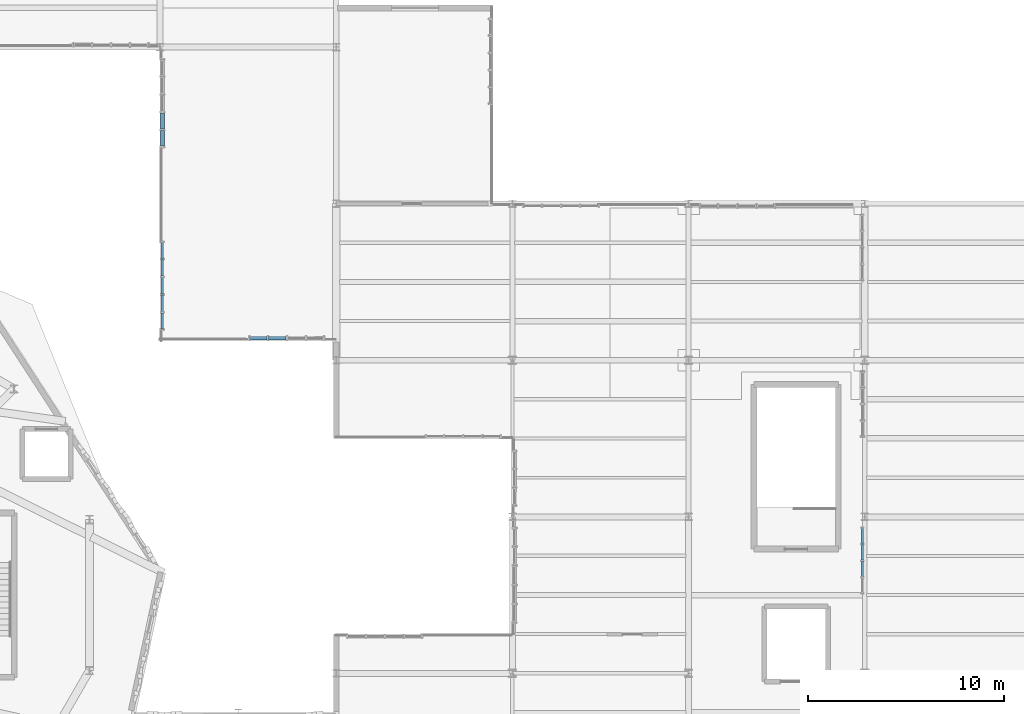
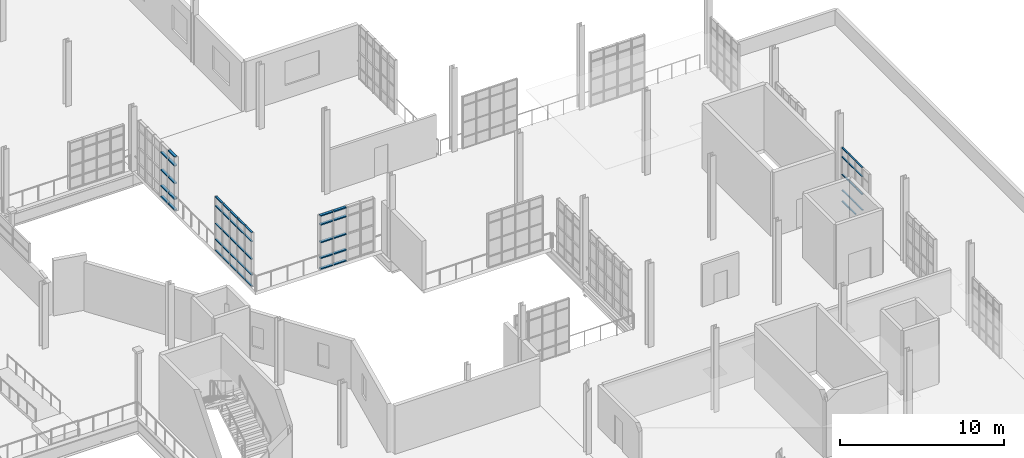
# One storey, part 79 of 118: 58 members, 4 elements without a shape of their own.
"""IFC4 building model written with IfcOpenShell, lengths in metres."""

from ifc_helpers import new_model, si_unit, direction, frame, origin, origin_2d, place, context, subcontext, project, spatial, hollow_rectangle, extrude, material, layer, layer_set, material_profile, profile_set, type_object, element, aggregate, save


model = new_model("IFC4")

# Units and contexts
model_context = context("Model", 3, precision=1e-05, world=origin(), true_north=direction((0.0, 1.0)))
body_context = subcontext(model_context, "Body", "Model", "MODEL_VIEW")
ifc_project = project(units=[si_unit("LENGTHUNIT", "METRE"), si_unit("AREAUNIT", "SQUARE_METRE"), si_unit("VOLUMEUNIT", "CUBIC_METRE"), si_unit("PLANEANGLEUNIT", "RADIAN"), si_unit("MASSUNIT", "GRAM", prefix="KILO"), si_unit("THERMODYNAMICTEMPERATUREUNIT", "KELVIN"), si_unit("POWERUNIT", "WATT")], contexts=[model_context])

# Site, building, storey
site_placement = place(None, origin())
site = spatial("IfcSite", under=ifc_project, at=site_placement, CompositionType="ELEMENT")
building_placement = place(site_placement, origin())
building = spatial("IfcBuilding", under=site, at=building_placement, Name="Zelmaris Science Centre", CompositionType="ELEMENT")
storey_placement = place(building_placement, frame((0.0, 0.0, 15.60009765625)))
storey = spatial("IfcBuildingStorey", under=building, at=storey_placement, Name="L03", CompositionType="ELEMENT", Elevation=15.60009765625)

# Curtain wall, members
ifc_material = material(Name="Anodised architectural aluminium 6063-T6", Category="aluminium")
ifc_layer_1 = layer(ifc_material, 0.219970703125, Name="Anodised architectural aluminium 6063-T6")
ifc_layer_set_1 = layer_set([ifc_layer_1], Name="Anodised architectural aluminium 6063-T6")
curtain_wall_type_1 = type_object("IfcCurtainWallType", Name="Curtain Wall CW-04", PredefinedType="USERDEFINED", material=ifc_layer_set_1)
curtain_wall_1_placement = place(storey_placement, origin())
curtain_wall_1 = element("IfcCurtainWall", 1, at=curtain_wall_1_placement, inside=storey, type_object=curtain_wall_type_1, Name="L03 Unitised curtain wall 300", ObjectType="GLAZED CURTAIN WALL", PredefinedType="USERDEFINED")
ifc_material_profile_1 = material_profile(ifc_material, hollow_rectangle(XDim=0.06005859375, YDim=0.110107421875, WallThickness=0.0029296875, at=origin_2d()), Name="ALU-TRN-60X110")
ifc_profile_set_1 = profile_set([ifc_material_profile_1], Name="Anodised architectural aluminium 6063-T6")
member_type_1 = type_object("IfcMemberType", Name="ALU-TRN-60X110", PredefinedType="USERDEFINED", material=ifc_profile_set_1)
member_1_placement = place(storey_placement, frame((134.8798828125, 39.407958984375, 0.010986328125), z_axis=(0.0, -1.0, 0.0), x_axis=(0.0, 0.0, 1.0)))
member_1 = element("IfcMember", 2, at=member_1_placement, type_object=member_type_1, Name="CW-04 transom 1.1", ObjectType="TRANSOM", PredefinedType="USERDEFINED", context=body_context, shape_type="SweptSolid", body=[
    extrude(hollow_rectangle(XDim=0.06005859375, YDim=0.110107421875, WallThickness=0.0029296875, at=origin_2d()), origin(), (0.0, 0.0, 1.0), 0.77197265625),
])
member_2_placement = place(storey_placement, frame((134.8798828125, 39.407958984375, 0.8349609375), z_axis=(0.0, -1.0, 0.0), x_axis=(0.0, 0.0, 1.0)))
member_2 = element("IfcMember", 3, at=member_2_placement, type_object=member_type_1, Name="CW-04 transom 1.2", ObjectType="TRANSOM", PredefinedType="USERDEFINED", context=body_context, shape_type="SweptSolid", body=[
    extrude(hollow_rectangle(XDim=0.06005859375, YDim=0.110107421875, WallThickness=0.0029296875, at=origin_2d()), origin(), (0.0, 0.0, 1.0), 0.77197265625),
])
member_3_placement = place(storey_placement, frame((134.8798828125, 39.407958984375, 2.00732421875), z_axis=(0.0, -1.0, 0.0), x_axis=(0.0, 0.0, 1.0)))
member_3 = element("IfcMember", 4, at=member_3_placement, type_object=member_type_1, Name="CW-04 transom 1.3", ObjectType="TRANSOM", PredefinedType="USERDEFINED", context=body_context, shape_type="SweptSolid", body=[
    extrude(hollow_rectangle(XDim=0.06005859375, YDim=0.110107421875, WallThickness=0.0029296875, at=origin_2d()), origin(), (0.0, 0.0, 1.0), 0.77197265625),
])
member_4_placement = place(storey_placement, frame((134.8798828125, 39.407958984375, 3.329833984375), z_axis=(0.0, -1.0, 0.0), x_axis=(0.0, 0.0, 1.0)))
member_4 = element("IfcMember", 5, at=member_4_placement, type_object=member_type_1, Name="CW-04 transom 1.4", ObjectType="TRANSOM", PredefinedType="USERDEFINED", context=body_context, shape_type="SweptSolid", body=[
    extrude(hollow_rectangle(XDim=0.06005859375, YDim=0.110107421875, WallThickness=0.0029296875, at=origin_2d()), origin(), (0.0, 0.0, 1.0), 0.77197265625),
])
member_5_placement = place(storey_placement, frame((134.8798828125, 39.407958984375, 4.00390625), z_axis=(0.0, -1.0, 0.0), x_axis=(0.0, 0.0, 1.0)))
member_5 = element("IfcMember", 6, at=member_5_placement, type_object=member_type_1, Name="CW-04 transom 1.5", ObjectType="TRANSOM", PredefinedType="USERDEFINED", context=body_context, shape_type="SweptSolid", body=[
    extrude(hollow_rectangle(XDim=0.06005859375, YDim=0.110107421875, WallThickness=0.0029296875, at=origin_2d()), origin(), (0.0, 0.0, 1.0), 0.77197265625),
])
member_6_placement = place(storey_placement, frame((134.8798828125, 38.583984375, 0.010986328125), z_axis=(0.0, -1.0, 0.0), x_axis=(0.0, 0.0, 1.0)))
member_6 = element("IfcMember", 7, at=member_6_placement, type_object=member_type_1, Name="CW-04 transom 2.1", ObjectType="TRANSOM", PredefinedType="USERDEFINED", context=body_context, shape_type="SweptSolid", body=[
    extrude(hollow_rectangle(XDim=0.06005859375, YDim=0.110107421875, WallThickness=0.0029296875, at=origin_2d()), origin(), (0.0, 0.0, 1.0), 0.798095703125),
])
member_7_placement = place(storey_placement, frame((134.8798828125, 38.583984375, 0.8349609375), z_axis=(0.0, -1.0, 0.0), x_axis=(0.0, 0.0, 1.0)))
member_7 = element("IfcMember", 8, at=member_7_placement, type_object=member_type_1, Name="CW-04 transom 2.2", ObjectType="TRANSOM", PredefinedType="USERDEFINED", context=body_context, shape_type="SweptSolid", body=[
    extrude(hollow_rectangle(XDim=0.06005859375, YDim=0.110107421875, WallThickness=0.0029296875, at=origin_2d()), origin(), (0.0, 0.0, 1.0), 0.798095703125),
])
member_8_placement = place(storey_placement, frame((134.8798828125, 38.583984375, 2.00732421875), z_axis=(0.0, -1.0, 0.0), x_axis=(0.0, 0.0, 1.0)))
member_8 = element("IfcMember", 9, at=member_8_placement, type_object=member_type_1, Name="CW-04 transom 2.3", ObjectType="TRANSOM", PredefinedType="USERDEFINED", context=body_context, shape_type="SweptSolid", body=[
    extrude(hollow_rectangle(XDim=0.06005859375, YDim=0.110107421875, WallThickness=0.0029296875, at=origin_2d()), origin(), (0.0, 0.0, 1.0), 0.798095703125),
])
member_9_placement = place(storey_placement, frame((134.8798828125, 38.583984375, 3.329833984375), z_axis=(0.0, -1.0, 0.0), x_axis=(0.0, 0.0, 1.0)))
member_9 = element("IfcMember", 10, at=member_9_placement, type_object=member_type_1, Name="CW-04 transom 2.4", ObjectType="TRANSOM", PredefinedType="USERDEFINED", context=body_context, shape_type="SweptSolid", body=[
    extrude(hollow_rectangle(XDim=0.06005859375, YDim=0.110107421875, WallThickness=0.0029296875, at=origin_2d()), origin(), (0.0, 0.0, 1.0), 0.798095703125),
])
member_10_placement = place(storey_placement, frame((134.8798828125, 38.583984375, 4.00390625), z_axis=(0.0, -1.0, 0.0), x_axis=(0.0, 0.0, 1.0)))
member_10 = element("IfcMember", 11, at=member_10_placement, type_object=member_type_1, Name="CW-04 transom 2.5", ObjectType="TRANSOM", PredefinedType="USERDEFINED", context=body_context, shape_type="SweptSolid", body=[
    extrude(hollow_rectangle(XDim=0.06005859375, YDim=0.110107421875, WallThickness=0.0029296875, at=origin_2d()), origin(), (0.0, 0.0, 1.0), 0.798095703125),
])
member_11_placement = place(storey_placement, frame((134.8798828125, 37.73388671875, 0.8349609375), z_axis=(0.0, -1.0, 0.0), x_axis=(0.0, 0.0, 1.0)))
member_11 = element("IfcMember", 12, at=member_11_placement, type_object=member_type_1, Name="CW-04 transom 3.2", ObjectType="TRANSOM", PredefinedType="USERDEFINED", context=body_context, shape_type="SweptSolid", body=[
    extrude(hollow_rectangle(XDim=0.06005859375, YDim=0.110107421875, WallThickness=0.0029296875, at=origin_2d()), origin(), (0.0, 0.0, 1.0), 0.7978515625),
])
member_12_placement = place(storey_placement, frame((134.8798828125, 37.73388671875, 2.00732421875), z_axis=(0.0, -1.0, 0.0), x_axis=(0.0, 0.0, 1.0)))
member_12 = element("IfcMember", 13, at=member_12_placement, type_object=member_type_1, Name="CW-04 transom 3.3", ObjectType="TRANSOM", PredefinedType="USERDEFINED", context=body_context, shape_type="SweptSolid", body=[
    extrude(hollow_rectangle(XDim=0.06005859375, YDim=0.110107421875, WallThickness=0.0029296875, at=origin_2d()), origin(), (0.0, 0.0, 1.0), 0.7978515625),
])
member_13_placement = place(storey_placement, frame((134.8798828125, 37.73388671875, 3.329833984375), z_axis=(0.0, -1.0, 0.0), x_axis=(0.0, 0.0, 1.0)))
member_13 = element("IfcMember", 14, at=member_13_placement, type_object=member_type_1, Name="CW-04 transom 3.4", ObjectType="TRANSOM", PredefinedType="USERDEFINED", context=body_context, shape_type="SweptSolid", body=[
    extrude(hollow_rectangle(XDim=0.06005859375, YDim=0.110107421875, WallThickness=0.0029296875, at=origin_2d()), origin(), (0.0, 0.0, 1.0), 0.7978515625),
])
member_14_placement = place(storey_placement, frame((134.8798828125, 37.73388671875, 4.00390625), z_axis=(0.0, -1.0, 0.0), x_axis=(0.0, 0.0, 1.0)))
member_14 = element("IfcMember", 15, at=member_14_placement, type_object=member_type_1, Name="CW-04 transom 3.5", ObjectType="TRANSOM", PredefinedType="USERDEFINED", context=body_context, shape_type="SweptSolid", body=[
    extrude(hollow_rectangle(XDim=0.06005859375, YDim=0.110107421875, WallThickness=0.0029296875, at=origin_2d()), origin(), (0.0, 0.0, 1.0), 0.7978515625),
])
aggregate(curtain_wall_1, [member_1, member_2, member_3, member_4, member_5, member_6, member_7, member_8, member_9, member_10, member_11, member_12, member_13, member_14])

ifc_layer_2 = layer(ifc_material, 0.2099609375, Name="Anodised architectural aluminium 6063-T6")
ifc_layer_set_2 = layer_set([ifc_layer_2], Name="Anodised architectural aluminium 6063-T6")
curtain_wall_type_2 = type_object("IfcCurtainWallType", Name="Curtain Wall CW-03", PredefinedType="USERDEFINED", material=ifc_layer_set_2)
curtain_wall_2_placement = place(storey_placement, origin())
curtain_wall_2 = element("IfcCurtainWall", 16, at=curtain_wall_2_placement, inside=storey, type_object=curtain_wall_type_2, Name="L03 Unitised curtain wall 331", ObjectType="GLAZED CURTAIN WALL", PredefinedType="USERDEFINED")
ifc_material_profile_2 = material_profile(ifc_material, hollow_rectangle(XDim=0.06494140625, YDim=0.1298828125, WallThickness=0.00341796875, at=origin_2d()), Name="ALU-TRN-65X130")
ifc_profile_set_2 = profile_set([ifc_material_profile_2], Name="Anodised architectural aluminium 6063-T6")
member_type_2 = type_object("IfcMemberType", Name="ALU-TRN-65X130", PredefinedType="USERDEFINED", material=ifc_profile_set_2)
member_15_placement = place(storey_placement, frame((99.1201171875, 49.59716796875, 0.013427734375), z_axis=(0.0, 1.0, 0.0), x_axis=(0.0, 0.0, 1.0)))
member_15 = element("IfcMember", 17, at=member_15_placement, type_object=member_type_2, Name="CW-03 transom 1.1", ObjectType="TRANSOM", PredefinedType="USERDEFINED", context=body_context, shape_type="SweptSolid", body=[
    extrude(hollow_rectangle(XDim=0.06494140625, YDim=0.1298828125, WallThickness=0.00341796875, at=origin_2d()), origin(), (0.0, 0.0, 1.0), 0.822509765625),
])
member_16_placement = place(storey_placement, frame((99.1201171875, 49.59716796875, 0.8349609375), z_axis=(0.0, 1.0, 0.0), x_axis=(0.0, 0.0, 1.0)))
member_16 = element("IfcMember", 18, at=member_16_placement, type_object=member_type_2, Name="CW-03 transom 1.2", ObjectType="TRANSOM", PredefinedType="USERDEFINED", context=body_context, shape_type="SweptSolid", body=[
    extrude(hollow_rectangle(XDim=0.06494140625, YDim=0.1298828125, WallThickness=0.00341796875, at=origin_2d()), origin(), (0.0, 0.0, 1.0), 0.822509765625),
])
member_17_placement = place(storey_placement, frame((99.1201171875, 49.59716796875, 2.00732421875), z_axis=(0.0, 1.0, 0.0), x_axis=(0.0, 0.0, 1.0)))
member_17 = element("IfcMember", 19, at=member_17_placement, type_object=member_type_2, Name="CW-03 transom 1.3", ObjectType="TRANSOM", PredefinedType="USERDEFINED", context=body_context, shape_type="SweptSolid", body=[
    extrude(hollow_rectangle(XDim=0.06494140625, YDim=0.1298828125, WallThickness=0.00341796875, at=origin_2d()), origin(), (0.0, 0.0, 1.0), 0.822509765625),
])
member_18_placement = place(storey_placement, frame((99.1201171875, 49.59716796875, 3.329833984375), z_axis=(0.0, 1.0, 0.0), x_axis=(0.0, 0.0, 1.0)))
member_18 = element("IfcMember", 20, at=member_18_placement, type_object=member_type_2, Name="CW-03 transom 1.4", ObjectType="TRANSOM", PredefinedType="USERDEFINED", context=body_context, shape_type="SweptSolid", body=[
    extrude(hollow_rectangle(XDim=0.06494140625, YDim=0.1298828125, WallThickness=0.00341796875, at=origin_2d()), origin(), (0.0, 0.0, 1.0), 0.822509765625),
])
member_19_placement = place(storey_placement, frame((99.1201171875, 49.59716796875, 4.00146484375), z_axis=(0.0, 1.0, 0.0), x_axis=(0.0, 0.0, 1.0)))
member_19 = element("IfcMember", 21, at=member_19_placement, type_object=member_type_2, Name="CW-03 transom 1.5", ObjectType="TRANSOM", PredefinedType="USERDEFINED", context=body_context, shape_type="SweptSolid", body=[
    extrude(hollow_rectangle(XDim=0.06494140625, YDim=0.1298828125, WallThickness=0.00341796875, at=origin_2d()), origin(), (0.0, 0.0, 1.0), 0.822509765625),
])
member_20_placement = place(storey_placement, frame((99.1201171875, 50.4765625, 0.013427734375), z_axis=(0.0, 1.0, 0.0), x_axis=(0.0, 0.0, 1.0)))
member_20 = element("IfcMember", 22, at=member_20_placement, type_object=member_type_2, Name="CW-03 transom 2.1", ObjectType="TRANSOM", PredefinedType="USERDEFINED", context=body_context, shape_type="SweptSolid", body=[
    extrude(hollow_rectangle(XDim=0.06494140625, YDim=0.1298828125, WallThickness=0.00341796875, at=origin_2d()), origin(), (0.0, 0.0, 1.0), 0.85107421875),
])
member_21_placement = place(storey_placement, frame((99.1201171875, 50.4765625, 0.8349609375), z_axis=(0.0, 1.0, 0.0), x_axis=(0.0, 0.0, 1.0)))
member_21 = element("IfcMember", 23, at=member_21_placement, type_object=member_type_2, Name="CW-03 transom 2.2", ObjectType="TRANSOM", PredefinedType="USERDEFINED", context=body_context, shape_type="SweptSolid", body=[
    extrude(hollow_rectangle(XDim=0.06494140625, YDim=0.1298828125, WallThickness=0.00341796875, at=origin_2d()), origin(), (0.0, 0.0, 1.0), 0.85107421875),
])
member_22_placement = place(storey_placement, frame((99.1201171875, 50.4765625, 2.00732421875), z_axis=(0.0, 1.0, 0.0), x_axis=(0.0, 0.0, 1.0)))
member_22 = element("IfcMember", 24, at=member_22_placement, type_object=member_type_2, Name="CW-03 transom 2.3", ObjectType="TRANSOM", PredefinedType="USERDEFINED", context=body_context, shape_type="SweptSolid", body=[
    extrude(hollow_rectangle(XDim=0.06494140625, YDim=0.1298828125, WallThickness=0.00341796875, at=origin_2d()), origin(), (0.0, 0.0, 1.0), 0.85107421875),
])
member_23_placement = place(storey_placement, frame((99.1201171875, 50.4765625, 3.329833984375), z_axis=(0.0, 1.0, 0.0), x_axis=(0.0, 0.0, 1.0)))
member_23 = element("IfcMember", 25, at=member_23_placement, type_object=member_type_2, Name="CW-03 transom 2.4", ObjectType="TRANSOM", PredefinedType="USERDEFINED", context=body_context, shape_type="SweptSolid", body=[
    extrude(hollow_rectangle(XDim=0.06494140625, YDim=0.1298828125, WallThickness=0.00341796875, at=origin_2d()), origin(), (0.0, 0.0, 1.0), 0.85107421875),
])
member_24_placement = place(storey_placement, frame((99.1201171875, 50.4765625, 4.00146484375), z_axis=(0.0, 1.0, 0.0), x_axis=(0.0, 0.0, 1.0)))
member_24 = element("IfcMember", 26, at=member_24_placement, type_object=member_type_2, Name="CW-03 transom 2.5", ObjectType="TRANSOM", PredefinedType="USERDEFINED", context=body_context, shape_type="SweptSolid", body=[
    extrude(hollow_rectangle(XDim=0.06494140625, YDim=0.1298828125, WallThickness=0.00341796875, at=origin_2d()), origin(), (0.0, 0.0, 1.0), 0.85107421875),
])
member_25_placement = place(storey_placement, frame((99.1201171875, 51.384521484375, 0.013427734375), z_axis=(0.0, 1.0, 0.0), x_axis=(0.0, 0.0, 1.0)))
member_25 = element("IfcMember", 27, at=member_25_placement, type_object=member_type_2, Name="CW-03 transom 3.1", ObjectType="TRANSOM", PredefinedType="USERDEFINED", context=body_context, shape_type="SweptSolid", body=[
    extrude(hollow_rectangle(XDim=0.06494140625, YDim=0.1298828125, WallThickness=0.00341796875, at=origin_2d()), origin(), (0.0, 0.0, 1.0), 0.85107421875),
])
member_26_placement = place(storey_placement, frame((99.1201171875, 51.384521484375, 0.8349609375), z_axis=(0.0, 1.0, 0.0), x_axis=(0.0, 0.0, 1.0)))
member_26 = element("IfcMember", 28, at=member_26_placement, type_object=member_type_2, Name="CW-03 transom 3.2", ObjectType="TRANSOM", PredefinedType="USERDEFINED", context=body_context, shape_type="SweptSolid", body=[
    extrude(hollow_rectangle(XDim=0.06494140625, YDim=0.1298828125, WallThickness=0.00341796875, at=origin_2d()), origin(), (0.0, 0.0, 1.0), 0.85107421875),
])
member_27_placement = place(storey_placement, frame((99.1201171875, 51.384521484375, 2.00732421875), z_axis=(0.0, 1.0, 0.0), x_axis=(0.0, 0.0, 1.0)))
member_27 = element("IfcMember", 29, at=member_27_placement, type_object=member_type_2, Name="CW-03 transom 3.3", ObjectType="TRANSOM", PredefinedType="USERDEFINED", context=body_context, shape_type="SweptSolid", body=[
    extrude(hollow_rectangle(XDim=0.06494140625, YDim=0.1298828125, WallThickness=0.00341796875, at=origin_2d()), origin(), (0.0, 0.0, 1.0), 0.85107421875),
])
member_28_placement = place(storey_placement, frame((99.1201171875, 51.384521484375, 3.329833984375), z_axis=(0.0, 1.0, 0.0), x_axis=(0.0, 0.0, 1.0)))
member_28 = element("IfcMember", 30, at=member_28_placement, type_object=member_type_2, Name="CW-03 transom 3.4", ObjectType="TRANSOM", PredefinedType="USERDEFINED", context=body_context, shape_type="SweptSolid", body=[
    extrude(hollow_rectangle(XDim=0.06494140625, YDim=0.1298828125, WallThickness=0.00341796875, at=origin_2d()), origin(), (0.0, 0.0, 1.0), 0.85107421875),
])
member_29_placement = place(storey_placement, frame((99.1201171875, 51.384521484375, 4.00146484375), z_axis=(0.0, 1.0, 0.0), x_axis=(0.0, 0.0, 1.0)))
member_29 = element("IfcMember", 31, at=member_29_placement, type_object=member_type_2, Name="CW-03 transom 3.5", ObjectType="TRANSOM", PredefinedType="USERDEFINED", context=body_context, shape_type="SweptSolid", body=[
    extrude(hollow_rectangle(XDim=0.06494140625, YDim=0.1298828125, WallThickness=0.00341796875, at=origin_2d()), origin(), (0.0, 0.0, 1.0), 0.85107421875),
])
member_30_placement = place(storey_placement, frame((99.1201171875, 52.29248046875, 0.013427734375), z_axis=(0.0, 1.0, 0.0), x_axis=(0.0, 0.0, 1.0)))
member_30 = element("IfcMember", 32, at=member_30_placement, type_object=member_type_2, Name="CW-03 transom 4.1", ObjectType="TRANSOM", PredefinedType="USERDEFINED", context=body_context, shape_type="SweptSolid", body=[
    extrude(hollow_rectangle(XDim=0.06494140625, YDim=0.1298828125, WallThickness=0.00341796875, at=origin_2d()), origin(), (0.0, 0.0, 1.0), 0.85107421875),
])
member_31_placement = place(storey_placement, frame((99.1201171875, 52.29248046875, 0.8349609375), z_axis=(0.0, 1.0, 0.0), x_axis=(0.0, 0.0, 1.0)))
member_31 = element("IfcMember", 33, at=member_31_placement, type_object=member_type_2, Name="CW-03 transom 4.2", ObjectType="TRANSOM", PredefinedType="USERDEFINED", context=body_context, shape_type="SweptSolid", body=[
    extrude(hollow_rectangle(XDim=0.06494140625, YDim=0.1298828125, WallThickness=0.00341796875, at=origin_2d()), origin(), (0.0, 0.0, 1.0), 0.85107421875),
])
member_32_placement = place(storey_placement, frame((99.1201171875, 52.29248046875, 2.00732421875), z_axis=(0.0, 1.0, 0.0), x_axis=(0.0, 0.0, 1.0)))
member_32 = element("IfcMember", 34, at=member_32_placement, type_object=member_type_2, Name="CW-03 transom 4.3", ObjectType="TRANSOM", PredefinedType="USERDEFINED", context=body_context, shape_type="SweptSolid", body=[
    extrude(hollow_rectangle(XDim=0.06494140625, YDim=0.1298828125, WallThickness=0.00341796875, at=origin_2d()), origin(), (0.0, 0.0, 1.0), 0.85107421875),
])
member_33_placement = place(storey_placement, frame((99.1201171875, 52.29248046875, 3.329833984375), z_axis=(0.0, 1.0, 0.0), x_axis=(0.0, 0.0, 1.0)))
member_33 = element("IfcMember", 35, at=member_33_placement, type_object=member_type_2, Name="CW-03 transom 4.4", ObjectType="TRANSOM", PredefinedType="USERDEFINED", context=body_context, shape_type="SweptSolid", body=[
    extrude(hollow_rectangle(XDim=0.06494140625, YDim=0.1298828125, WallThickness=0.00341796875, at=origin_2d()), origin(), (0.0, 0.0, 1.0), 0.85107421875),
])
member_34_placement = place(storey_placement, frame((99.1201171875, 52.29248046875, 4.00146484375), z_axis=(0.0, 1.0, 0.0), x_axis=(0.0, 0.0, 1.0)))
member_34 = element("IfcMember", 36, at=member_34_placement, type_object=member_type_2, Name="CW-03 transom 4.5", ObjectType="TRANSOM", PredefinedType="USERDEFINED", context=body_context, shape_type="SweptSolid", body=[
    extrude(hollow_rectangle(XDim=0.06494140625, YDim=0.1298828125, WallThickness=0.00341796875, at=origin_2d()), origin(), (0.0, 0.0, 1.0), 0.85107421875),
])
member_35_placement = place(storey_placement, frame((99.1201171875, 53.200439453125, 0.013427734375), z_axis=(0.0, 1.0, 0.0), x_axis=(0.0, 0.0, 1.0)))
member_35 = element("IfcMember", 37, at=member_35_placement, type_object=member_type_2, Name="CW-03 transom 5.1", ObjectType="TRANSOM", PredefinedType="USERDEFINED", context=body_context, shape_type="SweptSolid", body=[
    extrude(hollow_rectangle(XDim=0.06494140625, YDim=0.1298828125, WallThickness=0.00341796875, at=origin_2d()), origin(), (0.0, 0.0, 1.0), 0.822509765625),
])
member_36_placement = place(storey_placement, frame((99.1201171875, 53.200439453125, 0.8349609375), z_axis=(0.0, 1.0, 0.0), x_axis=(0.0, 0.0, 1.0)))
member_36 = element("IfcMember", 38, at=member_36_placement, type_object=member_type_2, Name="CW-03 transom 5.2", ObjectType="TRANSOM", PredefinedType="USERDEFINED", context=body_context, shape_type="SweptSolid", body=[
    extrude(hollow_rectangle(XDim=0.06494140625, YDim=0.1298828125, WallThickness=0.00341796875, at=origin_2d()), origin(), (0.0, 0.0, 1.0), 0.822509765625),
])
member_37_placement = place(storey_placement, frame((99.1201171875, 53.200439453125, 2.00732421875), z_axis=(0.0, 1.0, 0.0), x_axis=(0.0, 0.0, 1.0)))
member_37 = element("IfcMember", 39, at=member_37_placement, type_object=member_type_2, Name="CW-03 transom 5.3", ObjectType="TRANSOM", PredefinedType="USERDEFINED", context=body_context, shape_type="SweptSolid", body=[
    extrude(hollow_rectangle(XDim=0.06494140625, YDim=0.1298828125, WallThickness=0.00341796875, at=origin_2d()), origin(), (0.0, 0.0, 1.0), 0.822509765625),
])
member_38_placement = place(storey_placement, frame((99.1201171875, 53.200439453125, 3.329833984375), z_axis=(0.0, 1.0, 0.0), x_axis=(0.0, 0.0, 1.0)))
member_38 = element("IfcMember", 40, at=member_38_placement, type_object=member_type_2, Name="CW-03 transom 5.4", ObjectType="TRANSOM", PredefinedType="USERDEFINED", context=body_context, shape_type="SweptSolid", body=[
    extrude(hollow_rectangle(XDim=0.06494140625, YDim=0.1298828125, WallThickness=0.00341796875, at=origin_2d()), origin(), (0.0, 0.0, 1.0), 0.822509765625),
])
member_39_placement = place(storey_placement, frame((99.1201171875, 53.200439453125, 4.00146484375), z_axis=(0.0, 1.0, 0.0), x_axis=(0.0, 0.0, 1.0)))
member_39 = element("IfcMember", 41, at=member_39_placement, type_object=member_type_2, Name="CW-03 transom 5.5", ObjectType="TRANSOM", PredefinedType="USERDEFINED", context=body_context, shape_type="SweptSolid", body=[
    extrude(hollow_rectangle(XDim=0.06494140625, YDim=0.1298828125, WallThickness=0.00341796875, at=origin_2d()), origin(), (0.0, 0.0, 1.0), 0.822509765625),
])
aggregate(curtain_wall_2, [member_15, member_16, member_17, member_18, member_19, member_20, member_21, member_22, member_23, member_24, member_25, member_26, member_27, member_28, member_29, member_30, member_31, member_32, member_33, member_34, member_35, member_36, member_37, member_38, member_39])

ifc_layer_3 = layer(ifc_material, 0.18994140625, Name="Anodised architectural aluminium 6063-T6")
ifc_layer_set_3 = layer_set([ifc_layer_3], Name="Anodised architectural aluminium 6063-T6")
curtain_wall_type_3 = type_object("IfcCurtainWallType", Name="Curtain Wall CW-01", PredefinedType="USERDEFINED", material=ifc_layer_set_3)
curtain_wall_3_placement = place(storey_placement, origin())
curtain_wall_3 = element("IfcCurtainWall", 42, at=curtain_wall_3_placement, inside=storey, type_object=curtain_wall_type_3, Name="L03 Unitised curtain wall 329", ObjectType="GLAZED CURTAIN WALL", PredefinedType="USERDEFINED")
ifc_material_profile_3 = material_profile(ifc_material, hollow_rectangle(XDim=0.080078125, YDim=0.18994140625, WallThickness=0.00439453125, at=origin_2d()), Name="ALU-TRN-80X190")
ifc_profile_set_3 = profile_set([ifc_material_profile_3], Name="Anodised architectural aluminium 6063-T6")
member_type_3 = type_object("IfcMemberType", Name="ALU-TRN-80X190", PredefinedType="USERDEFINED", material=ifc_profile_set_3)
member_40_placement = place(storey_placement, frame((105.442138671875, 49.1181640625, 0.02099609375), z_axis=(-0.999999963019, 0.000271960828, 0.0), x_axis=(0.0, 0.0, 1.0)))
member_40 = element("IfcMember", 43, at=member_40_placement, type_object=member_type_3, Name="CW-01 transom 3.1", ObjectType="TRANSOM", PredefinedType="USERDEFINED", context=body_context, shape_type="SweptSolid", body=[
    extrude(hollow_rectangle(XDim=0.080078125, YDim=0.18994140625, WallThickness=0.00439453125, at=origin_2d()), origin(), (0.0, 0.0, 1.0), 0.897705078125),
])
member_41_placement = place(storey_placement, frame((105.442138671875, 49.1181640625, 0.8349609375), z_axis=(-0.999999963019, 0.000271960828, 0.0), x_axis=(0.0, 0.0, 1.0)))
member_41 = element("IfcMember", 44, at=member_41_placement, type_object=member_type_3, Name="CW-01 transom 3.2", ObjectType="TRANSOM", PredefinedType="USERDEFINED", context=body_context, shape_type="SweptSolid", body=[
    extrude(hollow_rectangle(XDim=0.080078125, YDim=0.18994140625, WallThickness=0.00439453125, at=origin_2d()), origin(), (0.0, 0.0, 1.0), 0.897705078125),
])
member_42_placement = place(storey_placement, frame((105.442138671875, 49.1181640625, 2.00732421875), z_axis=(-0.999999963019, 0.000271960828, 0.0), x_axis=(0.0, 0.0, 1.0)))
member_42 = element("IfcMember", 45, at=member_42_placement, type_object=member_type_3, Name="CW-01 transom 3.3", ObjectType="TRANSOM", PredefinedType="USERDEFINED", context=body_context, shape_type="SweptSolid", body=[
    extrude(hollow_rectangle(XDim=0.080078125, YDim=0.18994140625, WallThickness=0.00439453125, at=origin_2d()), origin(), (0.0, 0.0, 1.0), 0.897705078125),
])
member_43_placement = place(storey_placement, frame((105.442138671875, 49.1181640625, 3.329833984375), z_axis=(-0.999999963019, 0.000271960828, 0.0), x_axis=(0.0, 0.0, 1.0)))
member_43 = element("IfcMember", 46, at=member_43_placement, type_object=member_type_3, Name="CW-01 transom 3.4", ObjectType="TRANSOM", PredefinedType="USERDEFINED", context=body_context, shape_type="SweptSolid", body=[
    extrude(hollow_rectangle(XDim=0.080078125, YDim=0.18994140625, WallThickness=0.00439453125, at=origin_2d()), origin(), (0.0, 0.0, 1.0), 0.897705078125),
])
member_44_placement = place(storey_placement, frame((105.442138671875, 49.1181640625, 3.993896484375), z_axis=(-0.999999963019, 0.000271960828, 0.0), x_axis=(0.0, 0.0, 1.0)))
member_44 = element("IfcMember", 47, at=member_44_placement, type_object=member_type_3, Name="CW-01 transom 3.5", ObjectType="TRANSOM", PredefinedType="USERDEFINED", context=body_context, shape_type="SweptSolid", body=[
    extrude(hollow_rectangle(XDim=0.080078125, YDim=0.18994140625, WallThickness=0.00439453125, at=origin_2d()), origin(), (0.0, 0.0, 1.0), 0.897705078125),
])
member_45_placement = place(storey_placement, frame((104.472412109375, 49.118408203125, 0.02099609375), z_axis=(-0.999999959874, 0.000283286108, 0.0), x_axis=(0.0, 0.0, 1.0)))
member_45 = element("IfcMember", 48, at=member_45_placement, type_object=member_type_3, Name="CW-01 transom 4.1", ObjectType="TRANSOM", PredefinedType="USERDEFINED", context=body_context, shape_type="SweptSolid", body=[
    extrude(hollow_rectangle(XDim=0.080078125, YDim=0.18994140625, WallThickness=0.00439453125, at=origin_2d()), origin(), (0.0, 0.0, 1.0), 0.86181640625),
])
member_46_placement = place(storey_placement, frame((104.472412109375, 49.118408203125, 0.8349609375), z_axis=(-0.999999959874, 0.000283286108, 0.0), x_axis=(0.0, 0.0, 1.0)))
member_46 = element("IfcMember", 49, at=member_46_placement, type_object=member_type_3, Name="CW-01 transom 4.2", ObjectType="TRANSOM", PredefinedType="USERDEFINED", context=body_context, shape_type="SweptSolid", body=[
    extrude(hollow_rectangle(XDim=0.080078125, YDim=0.18994140625, WallThickness=0.00439453125, at=origin_2d()), origin(), (0.0, 0.0, 1.0), 0.86181640625),
])
member_47_placement = place(storey_placement, frame((104.472412109375, 49.118408203125, 2.00732421875), z_axis=(-0.999999959874, 0.000283286108, 0.0), x_axis=(0.0, 0.0, 1.0)))
member_47 = element("IfcMember", 50, at=member_47_placement, type_object=member_type_3, Name="CW-01 transom 4.3", ObjectType="TRANSOM", PredefinedType="USERDEFINED", context=body_context, shape_type="SweptSolid", body=[
    extrude(hollow_rectangle(XDim=0.080078125, YDim=0.18994140625, WallThickness=0.00439453125, at=origin_2d()), origin(), (0.0, 0.0, 1.0), 0.86181640625),
])
member_48_placement = place(storey_placement, frame((104.472412109375, 49.118408203125, 3.329833984375), z_axis=(-0.999999959874, 0.000283286108, 0.0), x_axis=(0.0, 0.0, 1.0)))
member_48 = element("IfcMember", 51, at=member_48_placement, type_object=member_type_3, Name="CW-01 transom 4.4", ObjectType="TRANSOM", PredefinedType="USERDEFINED", context=body_context, shape_type="SweptSolid", body=[
    extrude(hollow_rectangle(XDim=0.080078125, YDim=0.18994140625, WallThickness=0.00439453125, at=origin_2d()), origin(), (0.0, 0.0, 1.0), 0.86181640625),
])
member_49_placement = place(storey_placement, frame((104.472412109375, 49.118408203125, 3.993896484375), z_axis=(-0.999999959874, 0.000283286108, 0.0), x_axis=(0.0, 0.0, 1.0)))
member_49 = element("IfcMember", 52, at=member_49_placement, type_object=member_type_3, Name="CW-01 transom 4.5", ObjectType="TRANSOM", PredefinedType="USERDEFINED", context=body_context, shape_type="SweptSolid", body=[
    extrude(hollow_rectangle(XDim=0.080078125, YDim=0.18994140625, WallThickness=0.00439453125, at=origin_2d()), origin(), (0.0, 0.0, 1.0), 0.86181640625),
])
aggregate(curtain_wall_3, [member_40, member_41, member_42, member_43, member_44, member_45, member_46, member_47, member_48, member_49])

curtain_wall_4_placement = place(storey_placement, origin())
curtain_wall_4 = element("IfcCurtainWall", 53, at=curtain_wall_4_placement, inside=storey, type_object=curtain_wall_type_3, Name="L03 Unitised curtain wall 333", ObjectType="GLAZED CURTAIN WALL", PredefinedType="USERDEFINED")
member_50_placement = place(storey_placement, frame((99.1201171875, 58.931884765625, 0.02099609375), z_axis=(0.0, 1.0, 0.0), x_axis=(0.0, 0.0, 1.0)))
member_50 = element("IfcMember", 54, at=member_50_placement, type_object=member_type_3, Name="CW-01 transom 1.1", ObjectType="TRANSOM", PredefinedType="USERDEFINED", context=body_context, shape_type="SweptSolid", body=[
    extrude(hollow_rectangle(XDim=0.080078125, YDim=0.18994140625, WallThickness=0.00439453125, at=origin_2d()), origin(), (0.0, 0.0, 1.0), 0.800048828125),
])
member_51_placement = place(storey_placement, frame((99.1201171875, 58.931884765625, 0.8349609375), z_axis=(0.0, 1.0, 0.0), x_axis=(0.0, 0.0, 1.0)))
member_51 = element("IfcMember", 55, at=member_51_placement, type_object=member_type_3, Name="CW-01 transom 1.2", ObjectType="TRANSOM", PredefinedType="USERDEFINED", context=body_context, shape_type="SweptSolid", body=[
    extrude(hollow_rectangle(XDim=0.080078125, YDim=0.18994140625, WallThickness=0.00439453125, at=origin_2d()), origin(), (0.0, 0.0, 1.0), 0.800048828125),
])
member_52_placement = place(storey_placement, frame((99.1201171875, 58.931884765625, 2.00732421875), z_axis=(0.0, 1.0, 0.0), x_axis=(0.0, 0.0, 1.0)))
member_52 = element("IfcMember", 56, at=member_52_placement, type_object=member_type_3, Name="CW-01 transom 1.3", ObjectType="TRANSOM", PredefinedType="USERDEFINED", context=body_context, shape_type="SweptSolid", body=[
    extrude(hollow_rectangle(XDim=0.080078125, YDim=0.18994140625, WallThickness=0.00439453125, at=origin_2d()), origin(), (0.0, 0.0, 1.0), 0.800048828125),
])
member_53_placement = place(storey_placement, frame((99.1201171875, 58.931884765625, 3.329833984375), z_axis=(0.0, 1.0, 0.0), x_axis=(0.0, 0.0, 1.0)))
member_53 = element("IfcMember", 57, at=member_53_placement, type_object=member_type_3, Name="CW-01 transom 1.4", ObjectType="TRANSOM", PredefinedType="USERDEFINED", context=body_context, shape_type="SweptSolid", body=[
    extrude(hollow_rectangle(XDim=0.080078125, YDim=0.18994140625, WallThickness=0.00439453125, at=origin_2d()), origin(), (0.0, 0.0, 1.0), 0.800048828125),
])
member_54_placement = place(storey_placement, frame((99.1201171875, 58.931884765625, 3.993896484375), z_axis=(0.0, 1.0, 0.0), x_axis=(0.0, 0.0, 1.0)))
member_54 = element("IfcMember", 58, at=member_54_placement, type_object=member_type_3, Name="CW-01 transom 1.5", ObjectType="TRANSOM", PredefinedType="USERDEFINED", context=body_context, shape_type="SweptSolid", body=[
    extrude(hollow_rectangle(XDim=0.080078125, YDim=0.18994140625, WallThickness=0.00439453125, at=origin_2d()), origin(), (0.0, 0.0, 1.0), 0.800048828125),
])
member_55_placement = place(storey_placement, frame((99.1201171875, 59.803955078125, 0.02099609375), z_axis=(0.0, 1.0, 0.0), x_axis=(0.0, 0.0, 1.0)))
member_55 = element("IfcMember", 59, at=member_55_placement, type_object=member_type_3, Name="CW-01 transom 2.1", ObjectType="TRANSOM", PredefinedType="USERDEFINED", context=body_context, shape_type="SweptSolid", body=[
    extrude(hollow_rectangle(XDim=0.080078125, YDim=0.18994140625, WallThickness=0.00439453125, at=origin_2d()), origin(), (0.0, 0.0, 1.0), 0.8359375),
])
member_56_placement = place(storey_placement, frame((99.1201171875, 59.803955078125, 0.8349609375), z_axis=(0.0, 1.0, 0.0), x_axis=(0.0, 0.0, 1.0)))
member_56 = element("IfcMember", 60, at=member_56_placement, type_object=member_type_3, Name="CW-01 transom 2.2", ObjectType="TRANSOM", PredefinedType="USERDEFINED", context=body_context, shape_type="SweptSolid", body=[
    extrude(hollow_rectangle(XDim=0.080078125, YDim=0.18994140625, WallThickness=0.00439453125, at=origin_2d()), origin(), (0.0, 0.0, 1.0), 0.8359375),
])
member_57_placement = place(storey_placement, frame((99.1201171875, 59.803955078125, 2.00732421875), z_axis=(0.0, 1.0, 0.0), x_axis=(0.0, 0.0, 1.0)))
member_57 = element("IfcMember", 61, at=member_57_placement, type_object=member_type_3, Name="CW-01 transom 2.3", ObjectType="TRANSOM", PredefinedType="USERDEFINED", context=body_context, shape_type="SweptSolid", body=[
    extrude(hollow_rectangle(XDim=0.080078125, YDim=0.18994140625, WallThickness=0.00439453125, at=origin_2d()), origin(), (0.0, 0.0, 1.0), 0.8359375),
])
member_58_placement = place(storey_placement, frame((99.1201171875, 59.803955078125, 3.329833984375), z_axis=(0.0, 1.0, 0.0), x_axis=(0.0, 0.0, 1.0)))
member_58 = element("IfcMember", 62, at=member_58_placement, type_object=member_type_3, Name="CW-01 transom 2.4", ObjectType="TRANSOM", PredefinedType="USERDEFINED", context=body_context, shape_type="SweptSolid", body=[
    extrude(hollow_rectangle(XDim=0.080078125, YDim=0.18994140625, WallThickness=0.00439453125, at=origin_2d()), origin(), (0.0, 0.0, 1.0), 0.8359375),
])
aggregate(curtain_wall_4, [member_50, member_51, member_52, member_53, member_54, member_55, member_56, member_57, member_58])

save(model, "model.ifc")
